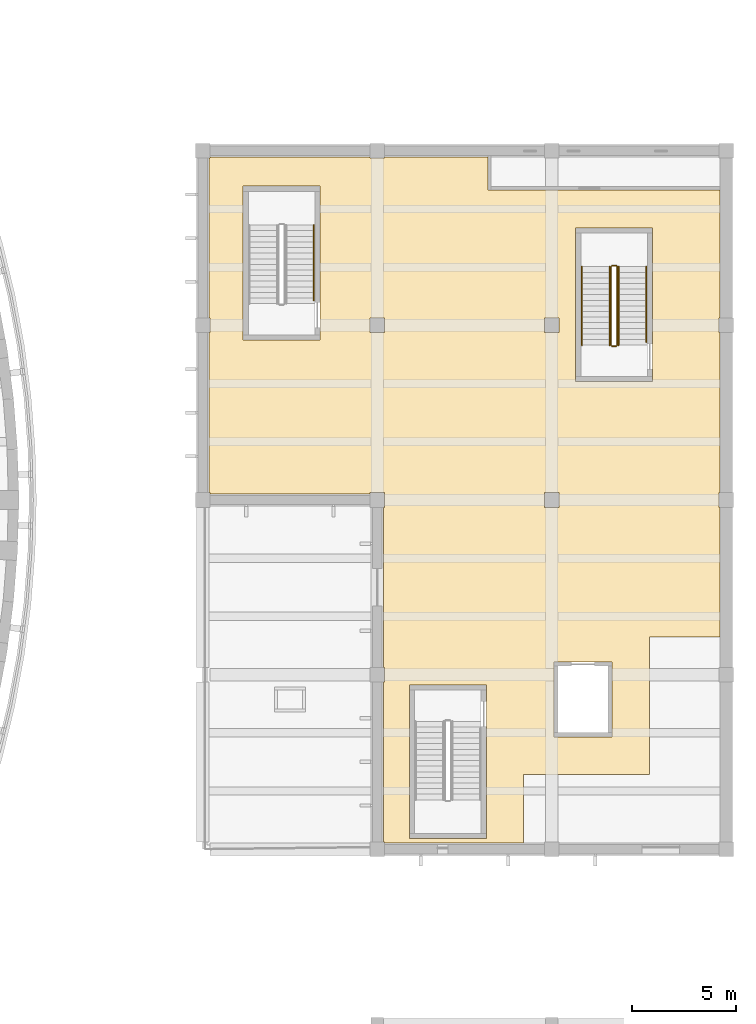
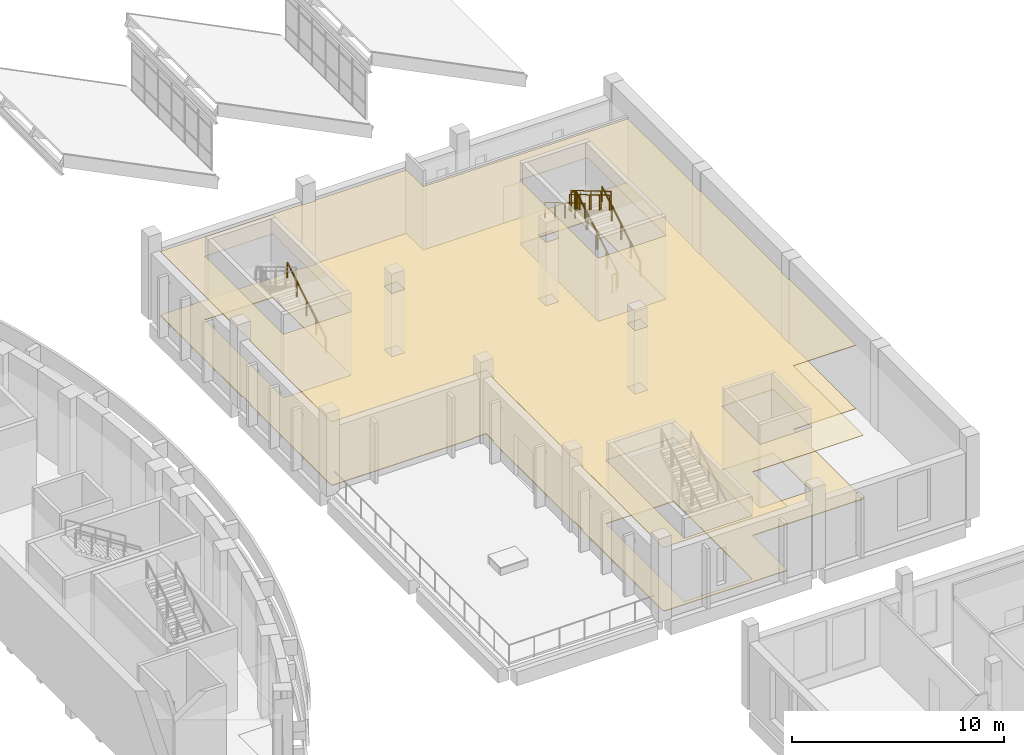
# One storey, part 101 of 103: 9 railings, 2 coverings.
"""IFC4 building model written with IfcOpenShell, lengths in metres."""

from ifc_helpers import new_model, si_unit, direction, frame, origin, origin_2d, place, context, subcontext, project, spatial, polyline, circle, outline, extrude, material, layer, layer_set, type_object, element, save


model = new_model("IFC4")

# Units and contexts
model_context = context("Model", 3, precision=1e-05, world=origin(), true_north=direction((0.0, 1.0)))
body_context = subcontext(model_context, "Body", "Model", "MODEL_VIEW")
ifc_project = project(units=[si_unit("LENGTHUNIT", "METRE"), si_unit("AREAUNIT", "SQUARE_METRE"), si_unit("VOLUMEUNIT", "CUBIC_METRE"), si_unit("PLANEANGLEUNIT", "RADIAN"), si_unit("MASSUNIT", "GRAM", prefix="KILO")], contexts=[model_context])

# Site, building, storey
site_placement = place(None, origin())
site = spatial("IfcSite", under=ifc_project, at=site_placement, CompositionType="ELEMENT")
building_placement = place(site_placement, origin())
building = spatial("IfcBuilding", under=site, at=building_placement, Name="Larchfold Concert Hall", CompositionType="ELEMENT")
storey_placement = place(building_placement, frame((0.0, 0.0, 9.60009765625)))
storey = spatial("IfcBuildingStorey", under=building, at=storey_placement, Name="L02", CompositionType="ELEMENT", Elevation=9.60009765625)

# Coverings
ifc_material_1 = material(Name="Plasterboard ceiling lining")
ifc_layer_1 = layer(ifc_material_1, 0.030029296875)
ifc_layer_set_1 = layer_set([ifc_layer_1], Name="Plasterboard ceiling lining")
covering_type_1 = type_object("IfcCoveringType", Name="Ceiling suspended plasterboard 30", PredefinedType="CEILING", material=ifc_layer_set_1)
covering_1_placement = place(storey_placement, frame((0.0, 0.0, 3.669921875)))
element("IfcCovering", 1, at=covering_1_placement, inside=storey, type_object=covering_type_1, Name="Ceiling Balcony Gallery 01", PredefinedType="CEILING", context=body_context, shape_type="SweptSolid", body=[
    extrude(outline(polyline([(76.5, 92.64990234375), (76.5, 84.9501953125), (76.550048828125, 84.9501953125), (76.550048828125, 84.900146484375), (84.25, 84.900146484375), (84.25, 84.9501953125), (84.9501953125, 84.9501953125), (84.9501953125, 84.25), (84.898681640625, 84.25), (84.8994140625, 76.550048828125), (84.9501953125, 76.550048828125), (84.9501953125, 75.849853515625), (84.8994140625, 75.849853515625), (84.900146484375, 68.150146484375), (84.9501953125, 68.150146484375), (84.9501953125, 68.10009765625), (91.649169921875, 68.10009765625), (91.649658203125, 71.391845703125), (91.654541015625, 71.3994140625), (97.698974609375, 71.40087890625), (97.700439453125, 77.99560546875), (97.7080078125, 78.00048828125), (101.099853515625, 78.0), (101.099853515625, 84.25), (101.0498046875, 84.25), (101.0498046875, 84.9501953125), (101.099853515625, 84.9501953125), (101.099853515625, 92.64990234375), (101.0498046875, 92.64990234375), (101.0498046875, 93.35009765625), (101.099853515625, 93.35009765625), (101.099853515625, 99.525146484375), (89.933349609375, 99.5244140625), (89.925048828125, 101.099609375), (89.95361328125, 101.099853515625), (84.9501953125, 101.099853515625), (84.9501953125, 101.0498046875), (84.25, 101.0498046875), (84.25, 101.099853515625), (76.550048828125, 101.099853515625), (76.550048828125, 101.0498046875), (76.5, 101.0498046875), (76.5, 93.35009765625), (76.550048828125, 93.35009765625), (76.550048828125, 92.64990234375), (76.5, 92.64990234375)]), holes=[polyline([(94.14990234375, 90.300048828125), (94.14990234375, 97.699951171875), (97.85009765625, 97.699951171875), (97.85009765625, 90.300048828125), (94.14990234375, 90.300048828125)]), polyline([(93.10009765625, 73.199951171875), (93.10009765625, 76.800048828125), (95.89990234375, 76.800048828125), (95.89990234375, 73.199951171875), (93.10009765625, 73.199951171875)]), polyline([(92.64990234375, 92.64990234375), (92.64990234375, 93.35009765625), (93.35009765625, 93.35009765625), (93.35009765625, 92.64990234375), (92.64990234375, 92.64990234375)]), polyline([(93.35009765625, 84.25), (92.64990234375, 84.25), (92.64990234375, 84.9501953125), (93.35009765625, 84.9501953125), (93.35009765625, 84.25)]), polyline([(86.14990234375, 68.300048828125), (86.14990234375, 75.699951171875), (89.85009765625, 75.699951171875), (89.85009765625, 68.300048828125), (86.14990234375, 68.300048828125)]), polyline([(84.9501953125, 92.64990234375), (84.25, 92.64990234375), (84.25, 93.35009765625), (84.9501953125, 93.35009765625), (84.9501953125, 92.64990234375)]), polyline([(78.14990234375, 92.300048828125), (78.14990234375, 99.699951171875), (81.85009765625, 99.699951171875), (81.85009765625, 92.300048828125), (78.14990234375, 92.300048828125)])]), origin(), (0.0, 0.0, 1.0), 0.030029296875),
])
ifc_material_2 = material(Name="Polished terrazzo")
ifc_layer_2 = layer(ifc_material_2, 0.0400390625)
ifc_layer_set_2 = layer_set([ifc_layer_2], Name="Polished terrazzo")
covering_type_2 = type_object("IfcCoveringType", Name="Floor finish terrazzo 40", PredefinedType="FLOORING", material=ifc_layer_set_2)
covering_2_placement = place(storey_placement, origin())
element("IfcCovering", 2, at=covering_2_placement, inside=storey, type_object=covering_type_2, Name="Floor finish Balcony Gallery 01", PredefinedType="FLOORING", context=body_context, shape_type="SweptSolid", body=[
    extrude(outline(polyline([(76.5, 92.64990234375), (76.5, 84.9501953125), (76.550048828125, 84.9501953125), (76.550048828125, 84.900146484375), (84.25, 84.900146484375), (84.25, 84.9501953125), (84.9501953125, 84.9501953125), (84.9501953125, 84.25), (84.898681640625, 84.25), (84.8994140625, 76.550048828125), (84.9501953125, 76.550048828125), (84.9501953125, 75.849853515625), (84.8994140625, 75.849853515625), (84.900146484375, 68.150146484375), (84.9501953125, 68.150146484375), (84.9501953125, 68.10009765625), (91.649169921875, 68.10009765625), (91.649658203125, 71.391845703125), (91.654541015625, 71.3994140625), (97.698974609375, 71.40087890625), (97.700439453125, 77.99560546875), (97.7080078125, 78.00048828125), (101.099853515625, 78.0), (101.099853515625, 84.25), (101.0498046875, 84.25), (101.0498046875, 84.9501953125), (101.099853515625, 84.9501953125), (101.099853515625, 92.64990234375), (101.0498046875, 92.64990234375), (101.0498046875, 93.35009765625), (101.099853515625, 93.35009765625), (101.099853515625, 99.525146484375), (89.933349609375, 99.5244140625), (89.925048828125, 101.099609375), (89.95361328125, 101.099853515625), (84.9501953125, 101.099853515625), (84.9501953125, 101.0498046875), (84.25, 101.0498046875), (84.25, 101.099853515625), (76.550048828125, 101.099853515625), (76.550048828125, 101.0498046875), (76.5, 101.0498046875), (76.5, 93.35009765625), (76.550048828125, 93.35009765625), (76.550048828125, 92.64990234375), (76.5, 92.64990234375)]), holes=[polyline([(94.14990234375, 90.300048828125), (94.14990234375, 97.699951171875), (97.85009765625, 97.699951171875), (97.85009765625, 90.300048828125), (94.14990234375, 90.300048828125)]), polyline([(93.10009765625, 73.199951171875), (93.10009765625, 76.800048828125), (95.89990234375, 76.800048828125), (95.89990234375, 73.199951171875), (93.10009765625, 73.199951171875)]), polyline([(92.64990234375, 92.64990234375), (92.64990234375, 93.35009765625), (93.35009765625, 93.35009765625), (93.35009765625, 92.64990234375), (92.64990234375, 92.64990234375)]), polyline([(93.35009765625, 84.25), (92.64990234375, 84.25), (92.64990234375, 84.9501953125), (93.35009765625, 84.9501953125), (93.35009765625, 84.25)]), polyline([(86.14990234375, 68.300048828125), (86.14990234375, 75.699951171875), (89.85009765625, 75.699951171875), (89.85009765625, 68.300048828125), (86.14990234375, 68.300048828125)]), polyline([(84.9501953125, 92.64990234375), (84.25, 92.64990234375), (84.25, 93.35009765625), (84.9501953125, 93.35009765625), (84.9501953125, 92.64990234375)]), polyline([(78.14990234375, 92.300048828125), (78.14990234375, 99.699951171875), (81.85009765625, 99.699951171875), (81.85009765625, 92.300048828125), (78.14990234375, 92.300048828125)])]), origin(), (0.0, 0.0, 1.0), 0.0400390625),
])

# Railings
ifc_material_3 = material(Name="Stainless steel balustrade", Category="steel")
railing_type_1 = type_object("IfcRailingType", Name="Stair guard 1100", PredefinedType="GUARDRAIL", material=ifc_material_3)
railing_1_placement = place(storey_placement, frame((96.150146484375, 92.050048828125, 0.159912109375)))
element("IfcRailing", 3, at=railing_1_placement, inside=storey, type_object=railing_type_1, Name="Guard GR0072", PredefinedType="GUARDRAIL", context=body_context, shape_type="SweptSolid", body=[
    extrude(circle(Radius=0.02392578125, at=origin_2d()), frame((0.0, 0.0, 1.076171875), z_axis=(0.0, 0.860294241299, 0.509797821089), x_axis=(-1.0, 0.0, 0.0)), (0.0, 0.0, 1.0), 4.393798828125),
    extrude(circle(Radius=0.02099609375, at=origin_2d()), origin(), (0.0, 0.0, 1.0), 1.052001953125),
    extrude(circle(Radius=0.02099609375, at=origin_2d()), frame((0.0, 0.945068359375, 0.56005859375)), (0.0, 0.0, 1.0), 1.052001953125),
    extrude(circle(Radius=0.02099609375, at=origin_2d()), frame((0.0, 1.89013671875, 1.1201171875)), (0.0, 0.0, 1.0), 1.052001953125),
    extrude(circle(Radius=0.02099609375, at=origin_2d()), frame((0.0, 2.8349609375, 1.679931640625)), (0.0, 0.0, 1.0), 1.052001953125),
    extrude(circle(Radius=0.02099609375, at=origin_2d()), frame((0.0, 3.780029296875, 2.239990234375)), (0.0, 0.0, 1.0), 1.052001953125),
])
railing_2_placement = place(storey_placement, frame((96.10009765625, 95.880126953125, 2.39990234375)))
element("IfcRailing", 4, at=railing_2_placement, inside=storey, type_object=railing_type_1, Name="Guard GR0073", PredefinedType="GUARDRAIL", context=body_context, shape_type="SweptSolid", body=[
    extrude(circle(Radius=0.02392578125, at=origin_2d()), frame((0.0, 0.0, 1.076171875), z_axis=(-1.0, 0.0, 0.0), x_axis=(0.0, -1.0, 0.0)), (0.0, 0.0, 1.0), 0.199951171875),
    extrude(circle(Radius=0.02099609375, at=origin_2d()), origin(), (0.0, 0.0, 1.0), 1.052001953125),
    extrude(circle(Radius=0.02099609375, at=origin_2d()), frame((-0.199951171875, 0.0, 0.0)), (0.0, 0.0, 1.0), 1.052001953125),
])
railing_3_placement = place(storey_placement, frame((95.85009765625, 95.830078125, 2.559814453125)))
element("IfcRailing", 5, at=railing_3_placement, inside=storey, type_object=railing_type_1, Name="Guard GR0074", PredefinedType="GUARDRAIL", context=body_context, shape_type="SweptSolid", body=[
    extrude(circle(Radius=0.02392578125, at=origin_2d()), frame((0.0, 0.0, 1.076171875), z_axis=(0.0, -0.860294241299, 0.509797821089), x_axis=(1.0, 0.0, 0.0)), (0.0, 0.0, 1.0), 4.393798828125),
    extrude(circle(Radius=0.02099609375, at=origin_2d()), origin(), (0.0, 0.0, 1.0), 1.052001953125),
    extrude(circle(Radius=0.02099609375, at=origin_2d()), frame((0.0, -0.945068359375, 0.56005859375)), (0.0, 0.0, 1.0), 1.052001953125),
    extrude(circle(Radius=0.02099609375, at=origin_2d()), frame((0.0, -1.89013671875, 1.1201171875)), (0.0, 0.0, 1.0), 1.052001953125),
    extrude(circle(Radius=0.02099609375, at=origin_2d()), frame((0.0, -2.8349609375, 1.679931640625)), (0.0, 0.0, 1.0), 1.052001953125),
    extrude(circle(Radius=0.02099609375, at=origin_2d()), frame((0.0, -3.780029296875, 2.239990234375)), (0.0, 0.0, 1.0), 1.052001953125),
])
railing_4_placement = place(storey_placement, frame((96.10009765625, 92.0, 0.0)))
element("IfcRailing", 6, at=railing_4_placement, inside=storey, type_object=railing_type_1, Name="Guard GR0075", PredefinedType="GUARDRAIL", context=body_context, shape_type="SweptSolid", body=[
    extrude(circle(Radius=0.02392578125, at=origin_2d()), frame((0.0, 0.0, 1.076171875), z_axis=(-1.0, 0.0, 0.0), x_axis=(0.0, -1.0, 0.0)), (0.0, 0.0, 1.0), 0.199951171875),
    extrude(circle(Radius=0.02099609375, at=origin_2d()), origin(), (0.0, 0.0, 1.0), 1.052001953125),
    extrude(circle(Radius=0.02099609375, at=origin_2d()), frame((-0.199951171875, 0.0, 0.0)), (0.0, 0.0, 1.0), 1.052001953125),
])
ifc_material_4 = material(Name="Stainless steel handrail", Category="steel")
railing_type_2 = type_object("IfcRailingType", Name="Stair handrail 900", PredefinedType="HANDRAIL", material=ifc_material_4)
for number, where, name in (
    (7, (81.550048828125, 94.2001953125, 0.248779296875), "Handrail HR0065"),
    (8, (97.550048828125, 92.2001953125, 0.248779296875), "Handrail HR0069"),
):
    element("IfcRailing", number, at=place(storey_placement, frame(where)), inside=storey, type_object=railing_type_2, Name=name, PredefinedType="HANDRAIL", context=body_context, shape_type="SweptSolid", body=[
        extrude(circle(Radius=0.02392578125, at=origin_2d()), frame((0.0, 0.0, 0.8759765625), z_axis=(0.0, 0.860283074592, 0.509816664665), x_axis=(-1.0, 0.0, 0.0)), (0.0, 0.0, 1.0), 4.219482421875),
        extrude(circle(Radius=0.02099609375, at=origin_2d()), origin(), (0.0, 0.0, 1.0), 0.851806640625),
        extrude(circle(Radius=0.02099609375, at=origin_2d()), frame((0.0, 0.907470703125, 0.537841796875)), (0.0, 0.0, 1.0), 0.851806640625),
        extrude(circle(Radius=0.02099609375, at=origin_2d()), frame((0.0, 1.81494140625, 1.07568359375)), (0.0, 0.0, 1.0), 0.851806640625),
        extrude(circle(Radius=0.02099609375, at=origin_2d()), frame((0.0, 2.722412109375, 1.61328125)), (0.0, 0.0, 1.0), 0.851806640625),
        extrude(circle(Radius=0.02099609375, at=origin_2d()), frame((0.0, 3.6298828125, 2.151123046875)), (0.0, 0.0, 1.0), 0.851806640625),
    ])
railing_5_placement = place(storey_placement, frame((94.4501953125, 95.830078125, 2.559814453125)))
element("IfcRailing", 9, at=railing_5_placement, inside=storey, type_object=railing_type_2, Name="Handrail HR0070", PredefinedType="HANDRAIL", context=body_context, shape_type="SweptSolid", body=[
    extrude(circle(Radius=0.02392578125, at=origin_2d()), frame((0.0, 0.0, 0.8759765625), z_axis=(0.0, -0.860294241299, 0.509797821089), x_axis=(1.0, 0.0, 0.0)), (0.0, 0.0, 1.0), 4.393798828125),
    extrude(circle(Radius=0.02099609375, at=origin_2d()), origin(), (0.0, 0.0, 1.0), 0.851806640625),
    extrude(circle(Radius=0.02099609375, at=origin_2d()), frame((0.0, -0.945068359375, 0.56005859375)), (0.0, 0.0, 1.0), 0.851806640625),
    extrude(circle(Radius=0.02099609375, at=origin_2d()), frame((0.0, -1.89013671875, 1.1201171875)), (0.0, 0.0, 1.0), 0.851806640625),
    extrude(circle(Radius=0.02099609375, at=origin_2d()), frame((0.0, -2.8349609375, 1.679931640625)), (0.0, 0.0, 1.0), 0.851806640625),
    extrude(circle(Radius=0.02099609375, at=origin_2d()), frame((0.0, -3.780029296875, 2.239990234375)), (0.0, 0.0, 1.0), 0.851806640625),
])
railing_6_placement = place(storey_placement, frame((96.22021484375, 92.050048828125, 0.159912109375)))
element("IfcRailing", 10, at=railing_6_placement, inside=storey, type_object=railing_type_2, Name="Handrail HR0071", PredefinedType="HANDRAIL", context=body_context, shape_type="SweptSolid", body=[
    extrude(circle(Radius=0.02392578125, at=origin_2d()), frame((0.0, 0.0, 0.8759765625), z_axis=(0.0, 0.860294241299, 0.509797821089), x_axis=(-1.0, 0.0, 0.0)), (0.0, 0.0, 1.0), 4.393798828125),
    extrude(circle(Radius=0.02099609375, at=origin_2d()), origin(), (0.0, 0.0, 1.0), 0.851806640625),
    extrude(circle(Radius=0.02099609375, at=origin_2d()), frame((0.0, 0.945068359375, 0.56005859375)), (0.0, 0.0, 1.0), 0.851806640625),
    extrude(circle(Radius=0.02099609375, at=origin_2d()), frame((0.0, 1.89013671875, 1.1201171875)), (0.0, 0.0, 1.0), 0.851806640625),
    extrude(circle(Radius=0.02099609375, at=origin_2d()), frame((0.0, 2.8349609375, 1.679931640625)), (0.0, 0.0, 1.0), 0.851806640625),
    extrude(circle(Radius=0.02099609375, at=origin_2d()), frame((0.0, 3.780029296875, 2.239990234375)), (0.0, 0.0, 1.0), 0.851806640625),
])
railing_7_placement = place(storey_placement, frame((95.780029296875, 95.830078125, 2.559814453125)))
element("IfcRailing", 11, at=railing_7_placement, inside=storey, type_object=railing_type_2, Name="Handrail HR0072", PredefinedType="HANDRAIL", context=body_context, shape_type="SweptSolid", body=[
    extrude(circle(Radius=0.02392578125, at=origin_2d()), frame((0.0, 0.0, 0.8759765625), z_axis=(0.0, -0.860294241299, 0.509797821089), x_axis=(1.0, 0.0, 0.0)), (0.0, 0.0, 1.0), 4.393798828125),
    extrude(circle(Radius=0.02099609375, at=origin_2d()), origin(), (0.0, 0.0, 1.0), 0.851806640625),
    extrude(circle(Radius=0.02099609375, at=origin_2d()), frame((0.0, -0.945068359375, 0.56005859375)), (0.0, 0.0, 1.0), 0.851806640625),
    extrude(circle(Radius=0.02099609375, at=origin_2d()), frame((0.0, -1.89013671875, 1.1201171875)), (0.0, 0.0, 1.0), 0.851806640625),
    extrude(circle(Radius=0.02099609375, at=origin_2d()), frame((0.0, -2.8349609375, 1.679931640625)), (0.0, 0.0, 1.0), 0.851806640625),
    extrude(circle(Radius=0.02099609375, at=origin_2d()), frame((0.0, -3.780029296875, 2.239990234375)), (0.0, 0.0, 1.0), 0.851806640625),
])

save(model, "model.ifc")
